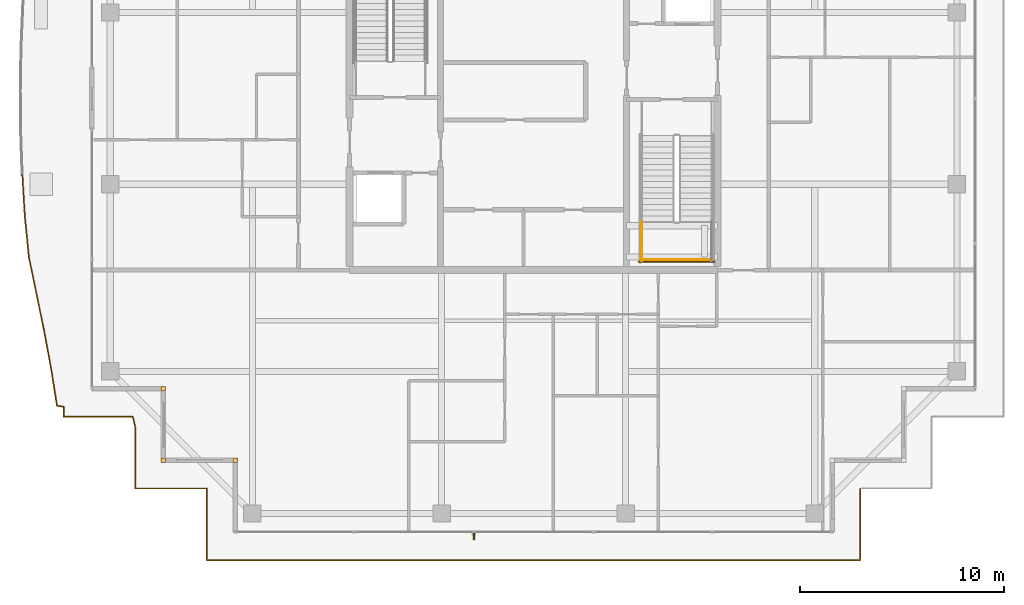
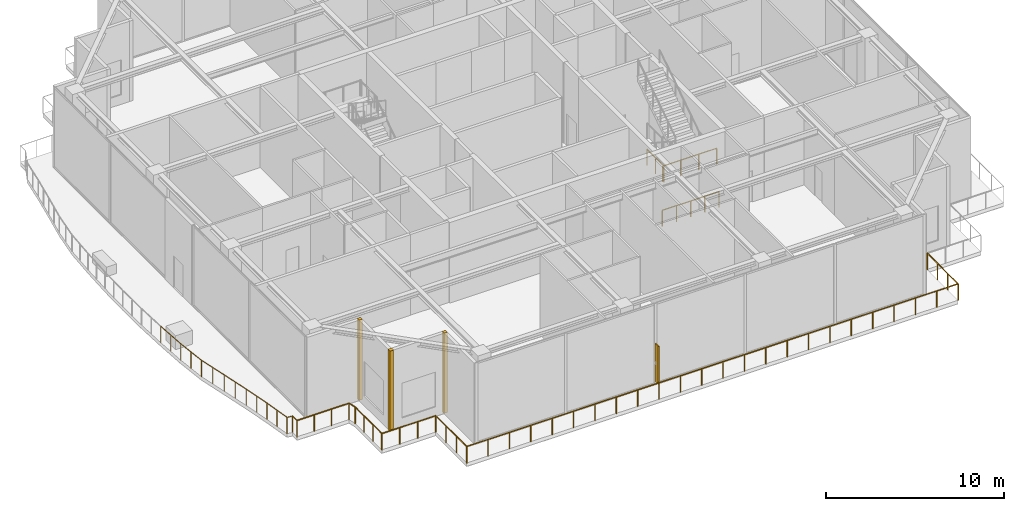
# One storey, part 33 of 38: 5 railings, 3 coverings, 1 shading device.
"""IFC4 building model written with IfcOpenShell, lengths in metres."""

from ifc_helpers import new_model, si_unit, direction, frame, origin, origin_2d, place, context, subcontext, project, spatial, rectangle, circle, extrude, source, transform, mapped, material, layer, layer_set, type_object, element, save


model = new_model("IFC4")

# Units and contexts
model_context = context("Model", 3, precision=1e-05, world=origin(), true_north=direction((0.0, 1.0)))
body_context = subcontext(model_context, "Body", "Model", "MODEL_VIEW")
ifc_project = project(units=[si_unit("LENGTHUNIT", "METRE"), si_unit("AREAUNIT", "SQUARE_METRE"), si_unit("VOLUMEUNIT", "CUBIC_METRE"), si_unit("PLANEANGLEUNIT", "RADIAN"), si_unit("MASSUNIT", "GRAM", prefix="KILO")], contexts=[model_context])

# Site, building, storey
site_placement = place(None, origin())
site = spatial("IfcSite", under=ifc_project, at=site_placement, CompositionType="ELEMENT")
building_placement = place(site_placement, origin())
building = spatial("IfcBuilding", under=site, at=building_placement, Name="Serunith Strait Residences", CompositionType="ELEMENT")
storey_placement = place(building_placement, frame((0.0, 0.0, 353.85009765625)))
storey = spatial("IfcBuildingStorey", under=building, at=storey_placement, Name="L87", CompositionType="ELEMENT", Elevation=353.85009765625)

# Railings
ifc_material_1 = material(Name="Stainless Steel & Laminated Glass Balustrade", Category="steel")
railing_type_1 = type_object("IfcRailingType", Name="RLG-BALC-1150", PredefinedType="BALUSTRADE", material=ifc_material_1)
railing_1_placement = place(storey_placement, frame((9.419921875, 9.6201171875, -0.050048828125)))
element("IfcRailing", 1, at=railing_1_placement, inside=storey, type_object=railing_type_1, Name="L87 Swirling Balcony Perimeter Balustrade 1", PredefinedType="BALUSTRADE", context=body_context, shape_type="SweptSolid", body=[
    extrude(circle(Radius=0.02392578125, at=origin_2d()), frame((0.0, 0.001953125, 1.1259765625), z_axis=(0.0, 1.0, 0.0), x_axis=(-1.0, 0.0, 0.0)), (0.0, 0.0, 1.0), 0.490234375),
    extrude(circle(Radius=0.02392578125, at=origin_2d()), frame((-0.001953125, 0.494384765625, 1.1259765625), z_axis=(-0.989266136722, 0.146124983268, 0.0), x_axis=(-0.146124983268, -0.989266136722, 0.0)), (0.0, 0.0, 1.0), 0.330078125),
    extrude(circle(Radius=0.02392578125, at=origin_2d()), frame((-0.330810546875, 0.544921875, 1.1259765625), z_axis=(-0.155059111722, 0.987905193767, 0.0), x_axis=(-0.987905193767, -0.155059111722, 0.0)), (0.0, 0.0, 1.0), 1.7861328125),
    extrude(circle(Radius=0.02392578125, at=origin_2d()), frame((-0.6083984375, 2.3134765625, 1.1259765625), z_axis=(-0.181719193137, 0.983350463897, 0.0), x_axis=(-0.983350463897, -0.181719193137, 0.0)), (0.0, 0.0, 1.0), 1.815185546875),
    extrude(circle(Radius=0.02392578125, at=origin_2d()), frame((-0.939208984375, 4.102294921875, 1.1259765625), z_axis=(-0.200093422233, 0.97977682274, 0.0), x_axis=(-0.97977682274, -0.200093422233, 0.0)), (0.0, 0.0, 1.0), 1.8603515625),
    extrude(circle(Radius=0.02392578125, at=origin_2d()), frame((-1.312255859375, 5.928955078125, 1.1259765625), z_axis=(-0.203949182881, 0.97898147623, 0.0), x_axis=(-0.97898147623, -0.203949182881, 0.0)), (0.0, 0.0, 1.0), 1.91845703125),
    extrude(circle(Radius=0.02392578125, at=origin_2d()), frame((-1.7041015625, 7.81103515625, 1.1259765625), z_axis=(-0.100023023267, 0.994985122912, 0.0), x_axis=(-0.994985122912, -0.100023023267, 0.0)), (0.0, 0.0, 1.0), 1.99755859375),
    extrude(circle(Radius=0.02392578125, at=origin_2d()), frame((-1.904052734375, 9.802490234375, 1.1259765625), z_axis=(-0.057557544477, 0.998342190371, 0.0), x_axis=(-0.998342190371, -0.057557544477, 0.0)), (0.0, 0.0, 1.0), 2.0361328125),
    extrude(circle(Radius=0.02099609375, at=origin_2d()), origin(), (0.0, 0.0, 1.0), 1.099853515625),
    extrude(circle(Radius=0.02099609375, at=origin_2d()), frame((0.0, 0.494140625, 0.0)), (0.0, 0.0, 1.0), 1.099853515625),
    extrude(circle(Radius=0.02099609375, at=origin_2d()), frame((-0.33056640625, 0.54296875, 0.0)), (0.0, 0.0, 1.0), 1.099853515625),
    extrude(circle(Radius=0.02099609375, at=origin_2d()), frame((-0.46923828125, 1.42724609375, 0.0)), (0.0, 0.0, 1.0), 1.099853515625),
    extrude(circle(Radius=0.02099609375, at=origin_2d()), frame((-0.608154296875, 2.3115234375, 0.0)), (0.0, 0.0, 1.0), 1.099853515625),
    extrude(circle(Radius=0.02099609375, at=origin_2d()), frame((-0.7734375, 3.2060546875, 0.0)), (0.0, 0.0, 1.0), 1.099853515625),
    extrude(circle(Radius=0.02099609375, at=origin_2d()), frame((-0.938720703125, 4.100341796875, 0.0)), (0.0, 0.0, 1.0), 1.099853515625),
    extrude(circle(Radius=0.02099609375, at=origin_2d()), frame((-1.125244140625, 5.013671875, 0.0)), (0.0, 0.0, 1.0), 1.099853515625),
    extrude(circle(Radius=0.02099609375, at=origin_2d()), frame((-1.311767578125, 5.927001953125, 0.0)), (0.0, 0.0, 1.0), 1.099853515625),
    extrude(circle(Radius=0.02099609375, at=origin_2d()), frame((-1.5078125, 6.8681640625, 0.0)), (0.0, 0.0, 1.0), 1.099853515625),
    extrude(circle(Radius=0.02099609375, at=origin_2d()), frame((-1.703857421875, 7.80908203125, 0.0)), (0.0, 0.0, 1.0), 1.099853515625),
    extrude(circle(Radius=0.02099609375, at=origin_2d()), frame((-1.803955078125, 8.8046875, 0.0)), (0.0, 0.0, 1.0), 1.099853515625),
    extrude(circle(Radius=0.02099609375, at=origin_2d()), frame((-1.904052734375, 9.800537109375, 0.0)), (0.0, 0.0, 1.0), 1.099853515625),
    extrude(circle(Radius=0.02099609375, at=origin_2d()), frame((-1.962890625, 10.81884765625, 0.0)), (0.0, 0.0, 1.0), 1.099853515625),
    extrude(circle(Radius=0.02099609375, at=origin_2d()), frame((-2.021484375, 11.83740234375, 0.0)), (0.0, 0.0, 1.0), 1.099853515625),
])
railing_2_placement = place(storey_placement, frame((48.43212890625, 6.1201171875, -0.050048828125)))
element("IfcRailing", 2, at=railing_2_placement, inside=storey, type_object=railing_type_1, Name="L87 Swirling Balcony Perimeter Balustrade 8", PredefinedType="BALUSTRADE", context=body_context, shape_type="SweptSolid", body=[
    extrude(circle(Radius=0.02392578125, at=origin_2d()), frame((-0.05224609375, -0.029296875, 1.1259765625), z_axis=(0.0, -1.0, 0.0), x_axis=(1.0, 0.0, 0.0)), (0.0, 0.0, 1.0), 3.46875),
    extrude(circle(Radius=0.02392578125, at=origin_2d()), frame((-0.05419921875, -3.5, 1.1259765625), z_axis=(-1.0, 0.0, 0.0), x_axis=(0.0, -1.0, 0.0)), (0.0, 0.0, 1.0), 31.9560546875),
    extrude(circle(Radius=0.02392578125, at=origin_2d()), frame((-32.01220703125, -3.498046875, 1.1259765625), z_axis=(0.0, 1.0, 0.0), x_axis=(-1.0, 0.0, 0.0)), (0.0, 0.0, 1.0), 3.49609375),
    extrude(circle(Radius=0.02392578125, at=origin_2d()), frame((-32.01416015625, 0.0, 1.1259765625), z_axis=(-1.0, 0.0, 0.0), x_axis=(0.0, -1.0, 0.0)), (0.0, 0.0, 1.0), 3.49609375),
    extrude(circle(Radius=0.02392578125, at=origin_2d()), frame((-35.51220703125, 0.001953125, 1.1259765625), z_axis=(0.0, 1.0, 0.0), x_axis=(-1.0, 0.0, 0.0)), (0.0, 0.0, 1.0), 2.9951171875),
    extrude(circle(Radius=0.02392578125, at=origin_2d()), frame((-35.5126953125, 3.0009765625, 1.1259765625), z_axis=(-0.234053838575, 0.972223637158, 0.0), x_axis=(-0.972223637158, -0.234053838575, 0.0)), (0.0, 0.0, 1.0), 0.51123046875),
    extrude(circle(Radius=0.02392578125, at=origin_2d()), frame((-35.634765625, 3.5, 1.1259765625), z_axis=(-1.0, 0.0, 0.0), x_axis=(0.0, -1.0, 0.0)), (0.0, 0.0, 1.0), 3.37548828125),
    extrude(circle(Radius=0.02099609375, at=origin_2d()), frame((-0.05224609375, -0.02734375, 0.0)), (0.0, 0.0, 1.0), 1.099853515625),
    extrude(circle(Radius=0.02099609375, at=origin_2d()), frame((-0.05224609375, -1.184814453125, 0.0)), (0.0, 0.0, 1.0), 1.099853515625),
    extrude(circle(Radius=0.02099609375, at=origin_2d()), frame((-0.05224609375, -2.342529296875, 0.0)), (0.0, 0.0, 1.0), 1.099853515625),
    extrude(circle(Radius=0.02099609375, at=origin_2d()), frame((-0.05224609375, -3.5, 0.0)), (0.0, 0.0, 1.0), 1.099853515625),
    extrude(circle(Radius=0.02099609375, at=origin_2d()), frame((-1.44189453125, -3.5, 0.0)), (0.0, 0.0, 1.0), 1.099853515625),
    extrude(circle(Radius=0.02099609375, at=origin_2d()), frame((-2.831298828125, -3.5, 0.0)), (0.0, 0.0, 1.0), 1.099853515625),
    extrude(circle(Radius=0.02099609375, at=origin_2d()), frame((-4.220947265625, -3.5, 0.0)), (0.0, 0.0, 1.0), 1.099853515625),
    extrude(circle(Radius=0.02099609375, at=origin_2d()), frame((-5.610595703125, -3.5, 0.0)), (0.0, 0.0, 1.0), 1.099853515625),
    extrude(circle(Radius=0.02099609375, at=origin_2d()), frame((-7.0, -3.5, 0.0)), (0.0, 0.0, 1.0), 1.099853515625),
    extrude(circle(Radius=0.02099609375, at=origin_2d()), frame((-8.3896484375, -3.5, 0.0)), (0.0, 0.0, 1.0), 1.099853515625),
    extrude(circle(Radius=0.02099609375, at=origin_2d()), frame((-9.779296875, -3.5, 0.0)), (0.0, 0.0, 1.0), 1.099853515625),
    extrude(circle(Radius=0.02099609375, at=origin_2d()), frame((-11.168701171875, -3.5, 0.0)), (0.0, 0.0, 1.0), 1.099853515625),
    extrude(circle(Radius=0.02099609375, at=origin_2d()), frame((-12.558349609375, -3.5, 0.0)), (0.0, 0.0, 1.0), 1.099853515625),
    extrude(circle(Radius=0.02099609375, at=origin_2d()), frame((-13.947998046875, -3.5, 0.0)), (0.0, 0.0, 1.0), 1.099853515625),
    extrude(circle(Radius=0.02099609375, at=origin_2d()), frame((-15.33740234375, -3.5, 0.0)), (0.0, 0.0, 1.0), 1.099853515625),
    extrude(circle(Radius=0.02099609375, at=origin_2d()), frame((-16.72705078125, -3.5, 0.0)), (0.0, 0.0, 1.0), 1.099853515625),
    extrude(circle(Radius=0.02099609375, at=origin_2d()), frame((-18.116455078125, -3.5, 0.0)), (0.0, 0.0, 1.0), 1.099853515625),
    extrude(circle(Radius=0.02099609375, at=origin_2d()), frame((-19.506103515625, -3.5, 0.0)), (0.0, 0.0, 1.0), 1.099853515625),
    extrude(circle(Radius=0.02099609375, at=origin_2d()), frame((-20.895751953125, -3.5, 0.0)), (0.0, 0.0, 1.0), 1.099853515625),
    extrude(circle(Radius=0.02099609375, at=origin_2d()), frame((-22.28515625, -3.5, 0.0)), (0.0, 0.0, 1.0), 1.099853515625),
    extrude(circle(Radius=0.02099609375, at=origin_2d()), frame((-23.6748046875, -3.5, 0.0)), (0.0, 0.0, 1.0), 1.099853515625),
    extrude(circle(Radius=0.02099609375, at=origin_2d()), frame((-25.064453125, -3.5, 0.0)), (0.0, 0.0, 1.0), 1.099853515625),
    extrude(circle(Radius=0.02099609375, at=origin_2d()), frame((-26.453857421875, -3.5, 0.0)), (0.0, 0.0, 1.0), 1.099853515625),
    extrude(circle(Radius=0.02099609375, at=origin_2d()), frame((-27.843505859375, -3.5, 0.0)), (0.0, 0.0, 1.0), 1.099853515625),
    extrude(circle(Radius=0.02099609375, at=origin_2d()), frame((-29.233154296875, -3.5, 0.0)), (0.0, 0.0, 1.0), 1.099853515625),
    extrude(circle(Radius=0.02099609375, at=origin_2d()), frame((-30.62255859375, -3.5, 0.0)), (0.0, 0.0, 1.0), 1.099853515625),
    extrude(circle(Radius=0.02099609375, at=origin_2d()), frame((-32.01220703125, -3.5, 0.0)), (0.0, 0.0, 1.0), 1.099853515625),
    extrude(circle(Radius=0.02099609375, at=origin_2d()), frame((-32.01220703125, -2.333251953125, 0.0)), (0.0, 0.0, 1.0), 1.099853515625),
    extrude(circle(Radius=0.02099609375, at=origin_2d()), frame((-32.01220703125, -1.166748046875, 0.0)), (0.0, 0.0, 1.0), 1.099853515625),
    extrude(circle(Radius=0.02099609375, at=origin_2d()), frame((-32.01220703125, 0.0, 0.0)), (0.0, 0.0, 1.0), 1.099853515625),
    extrude(circle(Radius=0.02099609375, at=origin_2d()), frame((-33.178955078125, 0.0, 0.0)), (0.0, 0.0, 1.0), 1.099853515625),
    extrude(circle(Radius=0.02099609375, at=origin_2d()), frame((-34.345458984375, 0.0, 0.0)), (0.0, 0.0, 1.0), 1.099853515625),
    extrude(circle(Radius=0.02099609375, at=origin_2d()), frame((-35.51220703125, 0.0, 0.0)), (0.0, 0.0, 1.0), 1.099853515625),
    extrude(circle(Radius=0.02099609375, at=origin_2d()), frame((-35.51220703125, 0.999755859375, 0.0)), (0.0, 0.0, 1.0), 1.099853515625),
    extrude(circle(Radius=0.02099609375, at=origin_2d()), frame((-35.51220703125, 1.999267578125, 0.0)), (0.0, 0.0, 1.0), 1.099853515625),
    extrude(circle(Radius=0.02099609375, at=origin_2d()), frame((-35.51220703125, 2.9990234375, 0.0)), (0.0, 0.0, 1.0), 1.099853515625),
    extrude(circle(Radius=0.02099609375, at=origin_2d()), frame((-35.6328125, 3.5, 0.0)), (0.0, 0.0, 1.0), 1.099853515625),
    extrude(circle(Radius=0.02099609375, at=origin_2d()), frame((-36.75927734375, 3.5, 0.0)), (0.0, 0.0, 1.0), 1.099853515625),
    extrude(circle(Radius=0.02099609375, at=origin_2d()), frame((-37.8857421875, 3.5, 0.0)), (0.0, 0.0, 1.0), 1.099853515625),
    extrude(circle(Radius=0.02099609375, at=origin_2d()), frame((-39.01220703125, 3.5, 0.0)), (0.0, 0.0, 1.0), 1.099853515625),
])
ifc_material_2 = material(Name="Brushed stainless steel 316L", Category="steel")
railing_type_2 = type_object("IfcRailingType", Name="RLG-STAIR-GUARD", PredefinedType="BALUSTRADE", material=ifc_material_2)
railing_3_placement = place(storey_placement, frame((37.699951171875, 19.169921875, 2.949951171875)))
element("IfcRailing", 3, at=railing_3_placement, inside=storey, type_object=railing_type_2, Name="L87 ST-2 stair guard 3", PredefinedType="BALUSTRADE", context=body_context, shape_type="SweptSolid", body=[
    extrude(circle(Radius=0.02392578125, at=origin_2d()), frame((0.0, -0.001953125, 1.076171875), z_axis=(0.0, -1.0, 0.0), x_axis=(1.0, 0.0, 0.0)), (0.0, 0.0, 1.0), 1.916015625),
    extrude(circle(Radius=0.02099609375, at=origin_2d()), origin(), (0.0, 0.0, 1.0), 1.050048828125),
    extrude(circle(Radius=0.02099609375, at=origin_2d()), frame((0.0, -0.9599609375, 0.0)), (0.0, 0.0, 1.0), 1.050048828125),
    extrude(circle(Radius=0.02099609375, at=origin_2d()), frame((0.0, -1.919921875, 0.0)), (0.0, 0.0, 1.0), 1.050048828125),
])
railing_4_placement = place(storey_placement, frame((37.64990234375, 17.300048828125, 2.949951171875)))
element("IfcRailing", 4, at=railing_4_placement, inside=storey, type_object=railing_type_2, Name="L87 ST-2 stair guard 5", PredefinedType="BALUSTRADE", context=body_context, shape_type="SweptSolid", body=[
    extrude(circle(Radius=0.02392578125, at=origin_2d()), frame((0.001953125, 0.0, 1.076171875), z_axis=(1.0, 0.0, 0.0), x_axis=(0.0, 1.0, 0.0)), (0.0, 0.0, 1.0), 3.49609375),
    extrude(circle(Radius=0.02099609375, at=origin_2d()), origin(), (0.0, 0.0, 1.0), 1.050048828125),
    extrude(circle(Radius=0.02099609375, at=origin_2d()), frame((1.166748046875, 0.0, 0.0)), (0.0, 0.0, 1.0), 1.050048828125),
    extrude(circle(Radius=0.02099609375, at=origin_2d()), frame((2.333251953125, 0.0, 0.0)), (0.0, 0.0, 1.0), 1.050048828125),
    extrude(circle(Radius=0.02099609375, at=origin_2d()), frame((3.5, 0.0, 0.0)), (0.0, 0.0, 1.0), 1.050048828125),
])
railing_5_placement = place(storey_placement, frame((37.550048828125, 17.199951171875, 0.0)))
element("IfcRailing", 5, at=railing_5_placement, inside=storey, type_object=railing_type_2, Name="L87 ST-2 stair guard 12", PredefinedType="BALUSTRADE", context=body_context, shape_type="SweptSolid", body=[
    extrude(circle(Radius=0.02392578125, at=origin_2d()), frame((0.001953125, 0.0, 1.076171875), z_axis=(1.0, 0.0, 0.0), x_axis=(0.0, 1.0, 0.0)), (0.0, 0.0, 1.0), 3.696044921875),
    extrude(circle(Radius=0.02099609375, at=origin_2d()), origin(), (0.0, 0.0, 1.0), 1.050048828125),
    extrude(circle(Radius=0.02099609375, at=origin_2d()), frame((0.925048828125, 0.0, 0.0)), (0.0, 0.0, 1.0), 1.050048828125),
    extrude(circle(Radius=0.02099609375, at=origin_2d()), frame((1.85009765625, 0.0, 0.0)), (0.0, 0.0, 1.0), 1.050048828125),
    extrude(circle(Radius=0.02099609375, at=origin_2d()), frame((2.77490234375, 0.0, 0.0)), (0.0, 0.0, 1.0), 1.050048828125),
    extrude(circle(Radius=0.02099609375, at=origin_2d()), frame((3.699951171875, 0.0, 0.0)), (0.0, 0.0, 1.0), 1.050048828125),
])

# Shading device
ifc_material_3 = material(Name="Pale-Champagne Perforated Aluminium Fin", Category="aluminium")
shading_device_type = type_object("IfcShadingDeviceType", Name="SHD-DIAG-FIN", PredefinedType="AWNING", material=ifc_material_3)
shared_shape_1 = source(origin(), body_context, "Body", "SweptSolid", [
    extrude(rectangle(XDim=0.080078125, YDim=0.35009765625, at=origin_2d()), origin(), (0.0, 0.0, 1.0), 2.60009765625),
])
shading_device_placement = place(storey_placement, frame((29.47998046875, 3.780029296875, 0.199951171875), z_axis=(0.0, 0.0, 1.0), x_axis=(1.0, 0.0, 0.0)))
element("IfcShadingDevice", 6, at=shading_device_placement, inside=storey, type_object=shading_device_type, Name="L87 Diagonal Rhythm Solar Fin S", PredefinedType="AWNING", context=body_context, shape_type="MappedRepresentation", body=[
    mapped(shared_shape_1, transform((0.0, 0.0, 0.0), scale=1.0)),
])

# Coverings
ifc_material_4 = material(Name="Pale-Champagne Anodised Aluminium", Category="aluminium")
ifc_layer = layer(ifc_material_4, 0.219970703125, Name="Pale-Champagne Anodised Aluminium")
ifc_layer_set = layer_set([ifc_layer], Name="Pale-Champagne Anodised Aluminium")
covering_type = type_object("IfcCoveringType", Name="COV-CORN-TRIM", PredefinedType="CLADDING", material=ifc_layer_set)
shared_shape_2 = source(origin(), body_context, "Body", "SweptSolid", [
    extrude(rectangle(XDim=0.221923828125, YDim=0.221923828125, at=origin_2d()), origin(), (0.0, 0.0, 1.0), 5.52490234375),
])
for number, where, z_axis, x_axis, name in (
    (7, (14.300048828125, 11.0, 0.0), (0.0, 0.0, 1.0), (1.0, 0.0, 0.0), "L87 Girih Serrated Corner Trim Post 17"),
    (8, (14.300048828125, 7.5, 0.0), (0.0, 0.0, 1.0), (1.0, 0.0, 0.0), "L87 Girih Serrated Corner Trim Post 18"),
    (9, (17.800048828125, 7.5, 0.0), (0.0, 0.0, 1.0), (1.0, 0.0, 0.0), "L87 Girih Serrated Corner Trim Post 19"),
):
    element("IfcCovering", number, at=place(storey_placement, frame(where, z_axis=z_axis, x_axis=x_axis)), inside=storey, type_object=covering_type, Name=name, PredefinedType="CLADDING", context=body_context, shape_type="MappedRepresentation", body=[
        mapped(shared_shape_2, transform((0.0, 0.0, 0.0), scale=1.0)),
    ])

save(model, "model.ifc")
